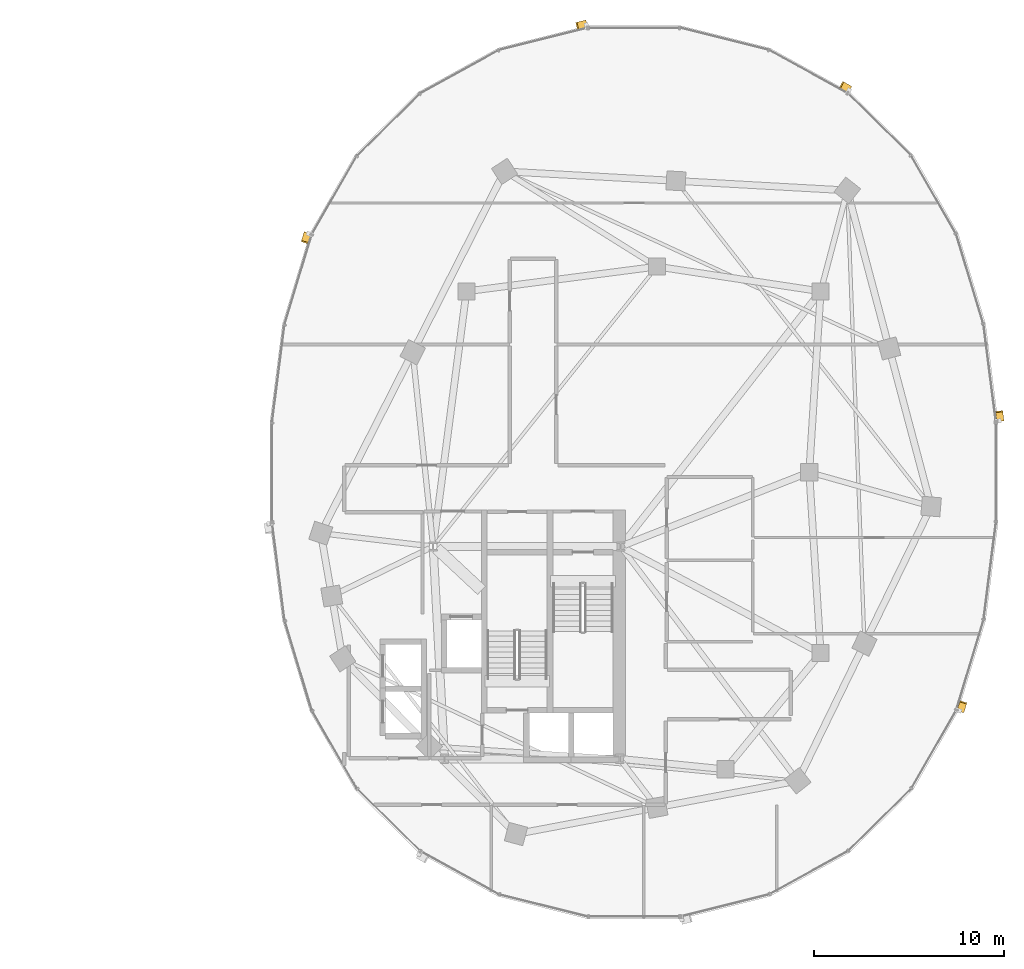
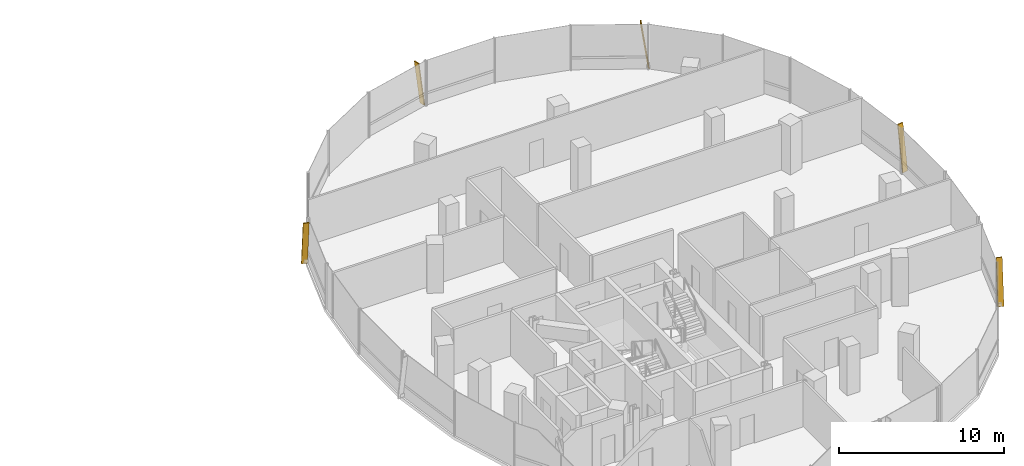
# One storey, part 23 of 23: 5 shading devices.
"""IFC4 building model written with IfcOpenShell, lengths in metres."""

from ifc_helpers import new_model, si_unit, direction, frame, origin, origin_2d, place, context, subcontext, project, spatial, rectangle, extrude, material, material_profile, profile_set, type_object, element, save


model = new_model("IFC4")

# Units and contexts
model_context = context("Model", 3, precision=1e-05, world=origin(), true_north=direction((0.0, 1.0)))
body_context = subcontext(model_context, "Body", "Model", "MODEL_VIEW")
ifc_project = project(units=[si_unit("LENGTHUNIT", "METRE"), si_unit("AREAUNIT", "SQUARE_METRE"), si_unit("VOLUMEUNIT", "CUBIC_METRE"), si_unit("PLANEANGLEUNIT", "RADIAN"), si_unit("MASSUNIT", "GRAM", prefix="KILO"), si_unit("THERMODYNAMICTEMPERATUREUNIT", "KELVIN"), si_unit("POWERUNIT", "WATT")], contexts=[model_context])

# Site, building, storey
site_placement = place(None, origin())
site = spatial("IfcSite", under=ifc_project, at=site_placement, CompositionType="ELEMENT")
building_placement = place(site_placement, origin())
building = spatial("IfcBuilding", under=site, at=building_placement, Name="Cundina Bronze Exchange", CompositionType="ELEMENT")
storey_placement = place(building_placement, frame((0.0, 0.0, 176.39990234375)))
storey = spatial("IfcBuildingStorey", under=building, at=storey_placement, Name="L46", CompositionType="ELEMENT", Elevation=176.39990234375)

# Shading devices
ifc_material = material(Name="Anodised Bronze Aluminium 6063-T6", Category="aluminium")
ifc_material_profile = material_profile(ifc_material, rectangle(XDim=0.070068359375, YDim=0.3798828125, at=origin_2d()), Name="FIN70X380", Category="aluminium")
ifc_profile_set = profile_set([ifc_material_profile], Name="Anodised Bronze Aluminium 6063-T6")
shading_device_type = type_object("IfcShadingDeviceType", Name="SHD-FIN-BRZ380", PredefinedType="USERDEFINED", material=ifc_profile_set)
for number, where, z_axis, x_axis, name in (
    (1, (51.23486328125, 2.705810546875, 0.02001953125), (-0.018121805099, 0.141917750773, 0.989712560391), (0.125360789044, -0.981741119016, 0.143070080046), "L46 Diagonal Bronze Solar Fin 1"),
    (2, (43.320068359375, 20.11181640625, 0.02001953125), (-0.125324460949, 0.068993954111, 0.989713905017), (0.867011652888, -0.477309551067, 0.143060778049), "L46 Diagonal Bronze Solar Fin 5"),
    (3, (29.48046875, 23.556396484375, 0.02001953125), (-0.138788401144, -0.034715294885, 0.989713407007), (0.960133415413, 0.240159223467, 0.14306422331), "L46 Diagonal Bronze Solar Fin 1"),
    (4, (14.848876953125, 12.5439453125, 0.02001953125), (-0.041483395017, -0.136967981441, 0.989706471636), (0.286882504107, 0.947215566191, 0.143112193758), "L46 Diagonal Bronze Solar Fin 5"),
    (5, (49.151123046875, -12.5439453125, 0.02001953125), (0.041483395017, 0.136967981441, 0.989706471636), (-0.286882504107, -0.947215566191, 0.143112193758), "L46 Diagonal Bronze Solar Fin 5"),
):
    element("IfcShadingDevice", number, at=place(storey_placement, frame(where, z_axis=z_axis, x_axis=x_axis)), inside=storey, type_object=shading_device_type, Name=name, ObjectType="FIN", PredefinedType="USERDEFINED", context=body_context, shape_type="SweptSolid", body=[
        extrude(rectangle(XDim=0.070068359375, YDim=0.3798828125, at=origin_2d()), origin(), (0.0, 0.0, 1.0), 3.3544921875),
    ])

save(model, "model.ifc")
